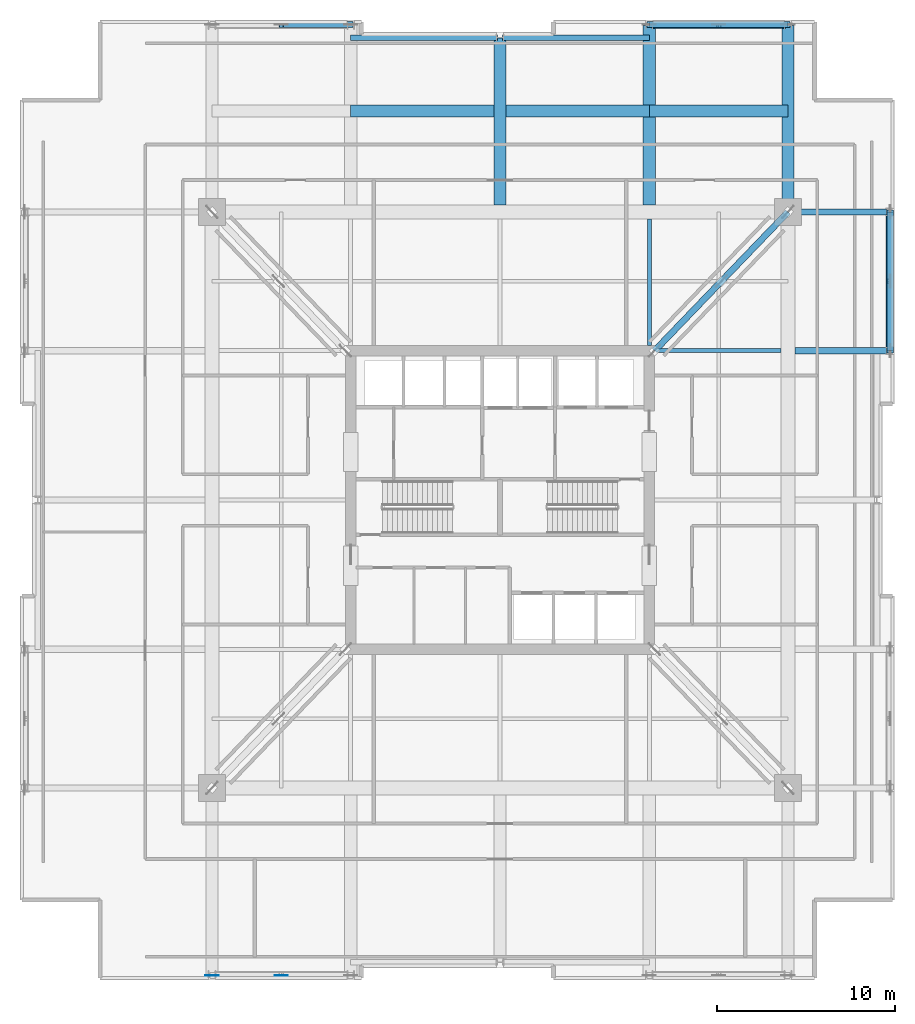
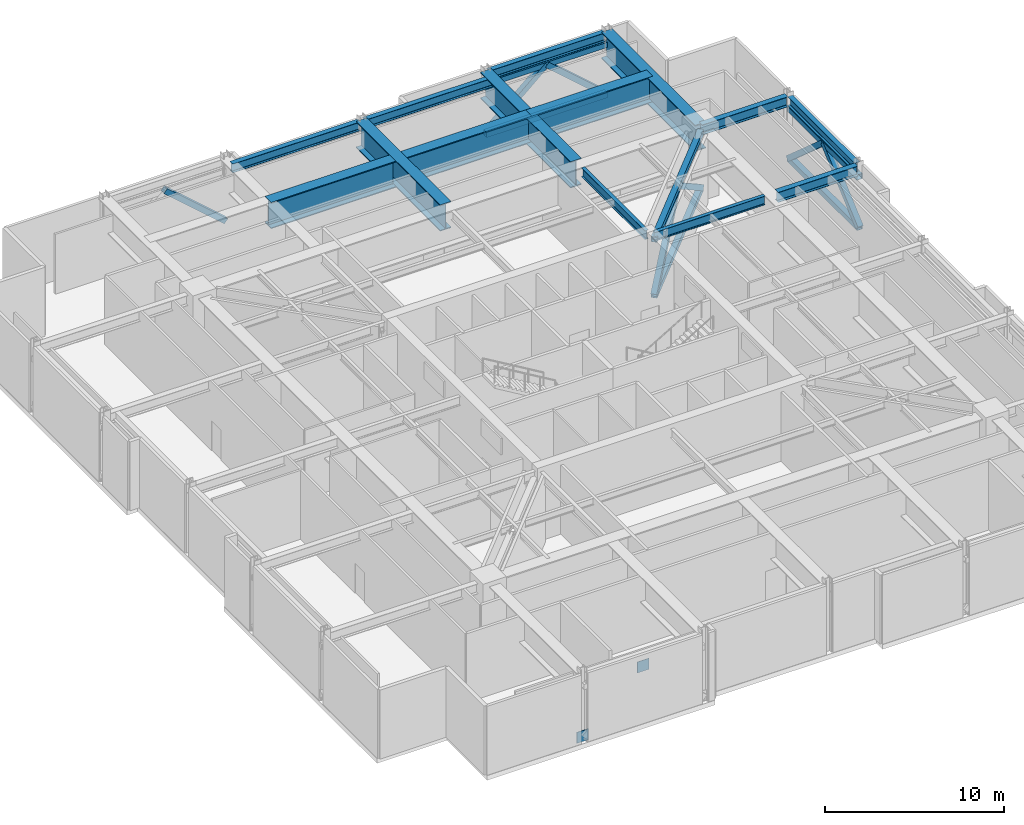
# One storey, part 2 of 13: 14 beams, 13 members, 2 plates.
"""IFC4 building model written with IfcOpenShell, lengths in metres."""

import ifcopenshell
import ifcopenshell.guid

model = None  # the IFC model being written
_history = None  # IfcOwnerHistory: only IFC2X3 demands one
_inside = {}  # id of a spatial element -> (the spatial element, [elements in it])
_under = {}  # id of a project, library or spatial element -> (it, [spatial elements below it])
_declared = {}  # id of a project -> (the project, [libraries it declares])
_typed = {}  # id of a type object -> (the type object, [elements of that type])
_made_of = {}  # id of a material, layer set ... -> (it, [elements and type objects made of it])


def new_model(schema):
    """Start an empty IFC model of exactly this schema.

    Asked for "IFC4X3", IfcOpenShell would pick the latest addendum, in which some entities
    have other attributes; the version numbers below select the first issue.
    IFC2X3 requires an IfcOwnerHistory on every rooted entity: one is made here for all.
    """
    global model, _history
    if schema == "IFC4X3":
        model = ifcopenshell.file(schema_version=(4, 3, 0, 0))
    else:
        model = ifcopenshell.file(schema=schema)
    _inside.clear()
    _under.clear()
    _declared.clear()
    _typed.clear()
    _made_of.clear()
    _history = None
    if model.schema == "IFC2X3":
        org = make("IfcOrganization", Name="unknown")
        user = make(
            "IfcPersonAndOrganization",
            ThePerson=make("IfcPerson", FamilyName="unknown"),
            TheOrganization=org,
        )
        app = make(
            "IfcApplication",
            ApplicationDeveloper=org,
            Version="unknown",
            ApplicationFullName="unknown",
            ApplicationIdentifier="unknown",
        )
        _history = make(
            "IfcOwnerHistory",
            OwningUser=user,
            OwningApplication=app,
            ChangeAction="ADDED",
            CreationDate=0,
        )
    return model


def make(cls, **values):
    """One entity of the class cls with the attributes given. An attribute that is None is left unset."""
    return model.create_entity(
        cls, **{name: value for name, value in values.items() if value is not None}
    )


def rooted(cls, **values):
    """An entity with a GlobalId (a new one), such as an element, a storey or a relation."""
    return make(cls, GlobalId=ifcopenshell.guid.new(), OwnerHistory=_history, **values)


def si_unit(unit_type, name, prefix=None):
    """IfcSIUnit, for example si_unit("LENGTHUNIT", "METRE", prefix="MILLI")."""
    return make("IfcSIUnit", UnitType=unit_type, Prefix=prefix, Name=name)


def assignment(units):
    """IfcUnitAssignment: the units of a project."""
    return None if units is None else make("IfcUnitAssignment", Units=units)


def point(xyz):
    """IfcCartesianPoint."""
    return None if xyz is None else make("IfcCartesianPoint", Coordinates=xyz)


def direction(xyz):
    """IfcDirection."""
    return None if xyz is None else make("IfcDirection", DirectionRatios=xyz)


def frame(location, z_axis=None, x_axis=None):
    """IfcAxis2Placement3D, a coordinate frame: its origin and axes. An axis left out is left unset."""
    return make(
        "IfcAxis2Placement3D",
        Location=point(location),
        Axis=direction(z_axis),
        RefDirection=direction(x_axis),
    )


def frame_2d(location, x_axis=None):
    """IfcAxis2Placement2D, a coordinate frame in the plane: its origin and x axis."""
    return make(
        "IfcAxis2Placement2D", Location=point(location), RefDirection=direction(x_axis)
    )


def origin():
    """The frame at (0, 0, 0) with its axes left unset."""
    return frame((0.0, 0.0, 0.0))


def origin_2d():
    """The frame at (0, 0) in the plane with its x axis left unset."""
    return frame_2d((0.0, 0.0))


def place(relative_to, where):
    """IfcLocalPlacement: puts the frame where relative to a parent placement (None: the world)."""
    return make(
        "IfcLocalPlacement", PlacementRelTo=relative_to, RelativePlacement=where
    )


def context(
    kind, dimensions, precision=None, world=None, true_north=None, identifier=None
):
    """IfcGeometricRepresentationContext, for example the 3D "Model" context."""
    return make(
        "IfcGeometricRepresentationContext",
        ContextIdentifier=identifier,
        ContextType=kind,
        CoordinateSpaceDimension=dimensions,
        Precision=precision,
        WorldCoordinateSystem=world,
        TrueNorth=true_north,
    )


def subcontext(parent, identifier, kind, view, scale=None):
    """IfcGeometricRepresentationSubContext, for example "Body" below "Model"."""
    return make(
        "IfcGeometricRepresentationSubContext",
        ContextIdentifier=identifier,
        ContextType=kind,
        ParentContext=parent,
        TargetScale=scale,
        TargetView=view,
    )


def project(units=None, contexts=None):
    """IfcProject with its units and contexts."""
    return rooted(
        "IfcProject",
        Name="project",
        RepresentationContexts=contexts,
        UnitsInContext=assignment(units),
    )


def spatial(cls, under=None, at=None, **own):
    """A site, building, storey or space (cls), placed at a placement, below another one or the project."""
    s = rooted(cls, ObjectPlacement=at, **own)
    if under is not None:
        _under.setdefault(under.id(), (under, []))[1].append(s)
    return s


def profile(cls, at=None, kind="AREA", **sizes):
    """A parametric profile (cls). Its sizes go by their IFC names, for example OverallWidth=200.0."""
    return make(cls, ProfileType=kind, Position=at, **sizes)


def rectangle(**sizes):
    """IfcRectangleProfileDef."""
    return profile("IfcRectangleProfileDef", **sizes)


def hollow_rectangle(**sizes):
    """IfcRectangleHollowProfileDef."""
    return profile("IfcRectangleHollowProfileDef", **sizes)


def i_section(**sizes):
    """IfcIShapeProfileDef."""
    return profile("IfcIShapeProfileDef", **sizes)


def extrude(swept, where, along, depth):
    """IfcExtrudedAreaSolid: the profile swept, set in the frame where, extruded along a direction by depth."""
    return make(
        "IfcExtrudedAreaSolid",
        SweptArea=swept,
        Position=where,
        ExtrudedDirection=direction(along),
        Depth=depth,
    )


def shape(context_of_items, identifier, shape_type, items):
    """IfcShapeRepresentation: the items that make up one representation, for example the "Body"."""
    return make(
        "IfcShapeRepresentation",
        ContextOfItems=context_of_items,
        RepresentationIdentifier=identifier,
        RepresentationType=shape_type,
        Items=items,
    )


def material(Name=None, Category=None):
    """IfcMaterial."""
    return make("IfcMaterial", Name=Name, Category=Category)


def layer(
    of_material, thickness, ventilated=None, Name=None, Category=None, Priority=None
):
    """IfcMaterialLayer: one layer of a wall or slab, of a material (None: an air gap)."""
    return make(
        "IfcMaterialLayer",
        Material=of_material,
        LayerThickness=thickness,
        IsVentilated=ventilated,
        Name=Name,
        Category=Category,
        Priority=Priority,
    )


def layer_set(layers, Name=None):
    """IfcMaterialLayerSet."""
    return make("IfcMaterialLayerSet", MaterialLayers=layers, LayerSetName=Name)


def material_profile(
    of_material, cross_section, Name=None, Category=None, Priority=None
):
    """IfcMaterialProfile: a cross section and its material."""
    return make(
        "IfcMaterialProfile",
        Name=Name,
        Material=of_material,
        Profile=cross_section,
        Priority=Priority,
        Category=Category,
    )


def profile_set(profiles, Name=None, composite=None):
    """IfcMaterialProfileSet."""
    return make(
        "IfcMaterialProfileSet",
        Name=Name,
        MaterialProfiles=profiles,
        CompositeProfile=composite,
    )


def made_of(thing, what):
    """Note that an element or type object is made of a material, layer set ...; save() writes the relation."""
    if what is not None:
        _made_of.setdefault(what.id(), (what, []))[1].append(thing)
    return thing


def type_object(cls, material=None, **own):
    """A type object (cls), such as IfcWallType, which elements share."""
    return made_of(rooted(cls, **own), material)


def element(
    cls,
    number,
    at=None,
    inside=None,
    cuts=None,
    type_object=None,
    material=None,
    context=None,
    identifier="Body",
    shape_type=None,
    held_by="IfcProductDefinitionShape",
    body=None,
    shapes=None,
    **own,
):
    """One element of the class cls, such as IfcWall. Its Tag is "e" and its number.

    at: its placement. inside: the storey or other place that contains it. cuts: it is an
    opening in that element (IfcRelVoidsElement). A single representation is given by context,
    identifier, shape_type and body (its items); several are given by shapes. held_by: the class
    of the entity that holds the representations. save() writes the other relations.
    """
    e = rooted(cls, Tag="e%d" % number, ObjectPlacement=at, **own)
    if body is not None:
        shapes = [shape(context, identifier, shape_type, body)]
    if shapes is not None:
        e.Representation = make(held_by, Representations=shapes)
    if inside is not None:
        _inside.setdefault(inside.id(), (inside, []))[1].append(e)
    if cuts is not None:
        rooted(
            "IfcRelVoidsElement", RelatingBuildingElement=cuts, RelatedOpeningElement=e
        )
    if type_object is not None:
        _typed.setdefault(type_object.id(), (type_object, []))[1].append(e)
    return made_of(e, material)


def aggregate(whole, parts):
    """IfcRelAggregates: a whole, such as a stair, and the parts it consists of."""
    return rooted("IfcRelAggregates", RelatingObject=whole, RelatedObjects=parts)


def save(model, path):
    """Write the relations noted so far, then the file.

    IfcRelAggregates (storeys below a building ...), IfcRelContainedInSpatialStructure (elements
    in a storey), IfcRelDefinesByType, IfcRelAssociatesMaterial and IfcRelDeclares: one each for
    every whole, place, type object, material and project.
    """
    for whole, parts in _under.values():
        aggregate(whole, parts)
    for where, things in _inside.values():
        rooted(
            "IfcRelContainedInSpatialStructure",
            RelatedElements=things,
            RelatingStructure=where,
        )
    for kind, things in _typed.values():
        rooted("IfcRelDefinesByType", RelatedObjects=things, RelatingType=kind)
    for what, things in _made_of.values():
        rooted("IfcRelAssociatesMaterial", RelatedObjects=things, RelatingMaterial=what)
    for by, libraries in _declared.values():
        rooted("IfcRelDeclares", RelatingContext=by, RelatedDefinitions=libraries)
    model.write(path)


model = new_model("IFC4")

# Units and contexts
model_context = context("Model", 3, precision=1e-05, world=origin(), true_north=direction((0.0, 1.0)))
body_context = subcontext(model_context, "Body", "Model", "MODEL_VIEW")
ifc_project = project(units=[si_unit("LENGTHUNIT", "METRE"), si_unit("AREAUNIT", "SQUARE_METRE"), si_unit("VOLUMEUNIT", "CUBIC_METRE"), si_unit("PLANEANGLEUNIT", "RADIAN"), si_unit("MASSUNIT", "GRAM", prefix="KILO")], contexts=[model_context])

# Site, building, storey
site_placement = place(None, origin())
site = spatial("IfcSite", under=ifc_project, at=site_placement, CompositionType="ELEMENT")
building_placement = place(site_placement, origin())
building = spatial("IfcBuilding", under=site, at=building_placement, Name="Drelvath Grand Hotel", CompositionType="ELEMENT")
storey_placement = place(building_placement, frame((0.0, 0.0, 140.800048828125)))
storey = spatial("IfcBuildingStorey", under=building, at=storey_placement, Name="L36", CompositionType="ELEMENT", Elevation=140.800048828125)

# Beams
ifc_material_1 = material(Name="Steel ASTM A572 Gr 50", Category="steel")
ifc_material_profile_1 = material_profile(ifc_material_1, i_section(OverallWidth=0.699951171875, OverallDepth=1.800048828125, WebThickness=0.035888671875, FlangeThickness=0.06494140625, at=origin_2d()), Name="PG1800X700")
ifc_profile_set_1 = profile_set([ifc_material_profile_1], Name="Steel ASTM A572 Gr 50")
beam_type_1 = type_object("IfcBeamType", Name="Built-Up Transfer Girder PG1800X700", PredefinedType="BEAM", material=ifc_profile_set_1)
for number, where, z_axis, x_axis, name in (
    (1, (-8.39990234375, 48.8798828125, 3.800048828125), (1.0, 0.0, 0.0), (0.0, 1.0, 0.0), "L36 Setback Transfer Girder North 2"),
    (2, (0.35009765625, 48.8798828125, 3.800048828125), (1.0, 0.0, 0.0), (0.0, 1.0, 0.0), "L36 Setback Transfer Girder North 3"),
):
    element("IfcBeam", number, at=place(storey_placement, frame(where, z_axis=z_axis, x_axis=x_axis)), inside=storey, type_object=beam_type_1, Name=name, PredefinedType="BEAM", context=body_context, shape_type="SweptSolid", body=[
        extrude(i_section(OverallWidth=0.699951171875, OverallDepth=1.800048828125, WebThickness=0.035888671875, FlangeThickness=0.06494140625, at=origin_2d()), origin(), (0.0, 0.0, 1.0), 8.0498046875),
    ])
beam_1_placement = place(storey_placement, frame((8.39990234375, 48.8798828125, 3.800048828125), z_axis=(1.0, 0.0, 0.0), x_axis=(0.0, 1.0, 0.0)))
element("IfcBeam", 3, at=beam_1_placement, inside=storey, type_object=beam_type_1, Name="L36 Setback Transfer Girder North 4", PredefinedType="BEAM", context=body_context, shape_type="SweptSolid", body=[
    extrude(i_section(OverallWidth=0.699951171875, OverallDepth=1.800048828125, WebThickness=0.035888671875, FlangeThickness=0.06494140625, at=origin_2d()), origin(), (0.0, 0.0, 1.0), 7.800048828125),
])
beam_2_placement = place(storey_placement, frame((0.0, 43.60009765625, 3.800048828125), z_axis=(0.0, 1.0, 0.0), x_axis=(-1.0, 0.0, 0.0)))
element("IfcBeam", 4, at=beam_2_placement, inside=storey, type_object=beam_type_1, Name="L36 Setback Cross Transfer Girder 5", PredefinedType="BEAM", context=body_context, shape_type="SweptSolid", body=[
    extrude(i_section(OverallWidth=0.699951171875, OverallDepth=1.800048828125, WebThickness=0.035888671875, FlangeThickness=0.06494140625, at=origin_2d()), origin(), (0.0, 0.0, 1.0), 9.39990234375),
])
beam_3_placement = place(storey_placement, frame((8.39990234375, 43.60009765625, 3.800048828125), z_axis=(0.0, 1.0, 0.0), x_axis=(-1.0, 0.0, 0.0)))
element("IfcBeam", 5, at=beam_3_placement, inside=storey, type_object=beam_type_1, Name="L36 Setback Cross Transfer Girder 6", PredefinedType="BEAM", context=body_context, shape_type="SweptSolid", body=[
    extrude(i_section(OverallWidth=0.699951171875, OverallDepth=1.800048828125, WebThickness=0.035888671875, FlangeThickness=0.06494140625, at=origin_2d()), origin(), (0.0, 0.0, 1.0), 10.079833984375),
])
beam_4_placement = place(storey_placement, frame((16.199951171875, 43.199951171875, 3.800048828125), z_axis=(0.0, 1.0, 0.0), x_axis=(-1.0, 0.0, 0.0)))
element("IfcBeam", 6, at=beam_4_placement, inside=storey, type_object=beam_type_1, Name="L36 Setback Cross Transfer Girder 7", PredefinedType="BEAM", context=body_context, shape_type="SweptSolid", body=[
    extrude(i_section(OverallWidth=0.699951171875, OverallDepth=1.800048828125, WebThickness=0.035888671875, FlangeThickness=0.06494140625, at=origin_2d()), origin(), (0.0, 0.0, 1.0), 10.47998046875),
])

# Members
ifc_material_2 = material(Name="Steel ASTM A500 Gr C", Category="steel")
ifc_material_profile_2 = material_profile(ifc_material_2, hollow_rectangle(XDim=0.355712890625, YDim=0.355712890625, WallThickness=0.015869140625, at=origin_2d()), Name="HSS356X356X16")
ifc_profile_set_2 = profile_set([ifc_material_profile_2], Name="Steel ASTM A500 Gr C")
member_type_1 = type_object("IfcMemberType", Name="Outrigger and Belt Truss Brace HSS356X356X16", PredefinedType="BRACE", material=ifc_profile_set_2)
for number, where, z_axis, x_axis, name in (
    (7, (8.699951171875, 35.39990234375, 0.349853515625), (0.567180022791, 0.589889379173, 0.574749808252), (-0.720846071131, 0.693095189519, 0.0), "L36 Outrigger Truss Diagonal NE-1"),
    (8, (12.449951171875, 39.300048828125, 4.14990234375), (0.567192377196, 0.589865301649, -0.574762327542), (-0.720824393659, 0.693117734231, 0.0), "L36 Outrigger Truss Diagonal NE-2"),
):
    element("IfcMember", number, at=place(storey_placement, frame(where, z_axis=z_axis, x_axis=x_axis)), inside=storey, type_object=member_type_1, Name=name, PredefinedType="BRACE", context=body_context, shape_type="SweptSolid", body=[
        extrude(hollow_rectangle(XDim=0.355712890625, YDim=0.355712890625, WallThickness=0.015869140625, at=origin_2d()), origin(), (0.0, 0.0, 1.0), 6.611572265625),
    ])
for number, where, z_axis, x_axis, name in (
    (9, (21.949951171875, 35.39990234375, 0.349853515625), (0.0, 0.750899979933, 0.660415944793), (-1.0, 0.0, 0.0), "L36 Belt Truss Diagonal BE-N-1"),
    (10, (21.949951171875, 39.300048828125, 3.780029296875), (0.0, 0.750879477787, -0.660439255222), (-1.0, 0.0, 0.0), "L36 Belt Truss Diagonal BE-N-2"),
    (11, (-12.300048828125, 53.75, 3.780029296875), (0.750899979933, 0.0, -0.660415944793), (0.0, 1.0, 0.0), "L36 Belt Truss Diagonal BN-W-2"),
    (12, (8.39990234375, 53.75, 0.349853515625), (0.750899979933, 0.0, 0.660415944793), (0.0, 1.0, 0.0), "L36 Belt Truss Diagonal BN-E-1"),
    (13, (12.300048828125, 53.75, 3.780029296875), (0.750879477787, 0.0, -0.660439255222), (0.0, 1.0, 0.0), "L36 Belt Truss Diagonal BN-E-2"),
):
    element("IfcMember", number, at=place(storey_placement, frame(where, z_axis=z_axis, x_axis=x_axis)), inside=storey, type_object=member_type_1, Name=name, PredefinedType="BRACE", context=body_context, shape_type="SweptSolid", body=[
        extrude(hollow_rectangle(XDim=0.355712890625, YDim=0.355712890625, WallThickness=0.015869140625, at=origin_2d()), origin(), (0.0, 0.0, 1.0), 5.19384765625),
    ])
ifc_material_profile_3 = material_profile(ifc_material_2, hollow_rectangle(XDim=0.355712890625, YDim=0.355712890625, WallThickness=0.015869140625, at=origin_2d()), Name="HSS356X356X16")
ifc_profile_set_3 = profile_set([ifc_material_profile_3], Name="Steel ASTM A500 Gr C")
member_type_2 = type_object("IfcMemberType", Name="Outrigger and Belt Truss Chord HSS356X356X16", PredefinedType="CHORD", material=ifc_profile_set_3)
for number, where, z_axis, x_axis, name in (
    (14, (8.699951171875, 35.39990234375, 0.349853515625), (0.693106461777, 0.72083523266, 0.0), (-0.72083523266, 0.693106461777, 0.0), "L36 Outrigger Truss Bottom Chord NE"),
    (15, (8.699951171875, 35.39990234375, 4.14990234375), (0.693106461777, 0.72083523266, 0.0), (-0.72083523266, 0.693106461777, 0.0), "L36 Outrigger Truss Top Chord NE"),
):
    element("IfcMember", number, at=place(storey_placement, frame(where, z_axis=z_axis, x_axis=x_axis)), inside=storey, type_object=member_type_2, Name=name, PredefinedType="CHORD", context=body_context, shape_type="SweptSolid", body=[
        extrude(hollow_rectangle(XDim=0.355712890625, YDim=0.355712890625, WallThickness=0.015869140625, at=origin_2d()), origin(), (0.0, 0.0, 1.0), 10.82080078125),
    ])
for number, where, z_axis, x_axis, name in (
    (16, (21.949951171875, 35.39990234375, 0.349853515625), (0.0, 1.0, 0.0), (-1.0, 0.0, 0.0), "L36 Belt Truss Bottom Chord BE-N"),
    (17, (21.949951171875, 35.39990234375, 3.780029296875), (0.0, 1.0, 0.0), (-1.0, 0.0, 0.0), "L36 Belt Truss Top Chord BE-N"),
    (18, (8.39990234375, 53.75, 0.349853515625), (1.0, 0.0, 0.0), (0.0, 1.0, 0.0), "L36 Belt Truss Bottom Chord BN-E"),
    (19, (8.39990234375, 53.75, 3.780029296875), (1.0, 0.0, 0.0), (0.0, 1.0, 0.0), "L36 Belt Truss Top Chord BN-E"),
):
    element("IfcMember", number, at=place(storey_placement, frame(where, z_axis=z_axis, x_axis=x_axis)), inside=storey, type_object=member_type_2, Name=name, PredefinedType="CHORD", context=body_context, shape_type="SweptSolid", body=[
        extrude(hollow_rectangle(XDim=0.355712890625, YDim=0.355712890625, WallThickness=0.015869140625, at=origin_2d()), origin(), (0.0, 0.0, 1.0), 7.800048828125),
    ])

# Beams
ifc_material_3 = material(Name="Steel ASTM A992 Gr 50", Category="steel")
ifc_material_profile_4 = material_profile(ifc_material_3, i_section(OverallWidth=0.323974609375, OverallDepth=0.611083984375, WebThickness=0.0126953125, FlangeThickness=0.01904296875, FilletRadius=0.02197265625, at=origin_2d()), Name="W24X104")
ifc_profile_set_4 = profile_set([ifc_material_profile_4], Name="Steel ASTM A992 Gr 50")
beam_type_2 = type_object("IfcBeamType", Name="Perimeter Spandrel Beam W24X104", PredefinedType="SPANDREL", material=ifc_profile_set_4)
beam_5_placement = place(storey_placement, frame((21.8798828125, 35.5400390625, 4.394287109375), z_axis=(0.0, 1.0, 0.0), x_axis=(-1.0, 0.0, 0.0)))
element("IfcBeam", 20, at=beam_5_placement, inside=storey, type_object=beam_type_2, Name="L36 Spandrel East N", PredefinedType="SPANDREL", context=body_context, shape_type="SweptSolid", body=[
    extrude(i_section(OverallWidth=0.323974609375, OverallDepth=0.611083984375, WebThickness=0.0126953125, FlangeThickness=0.01904296875, FilletRadius=0.02197265625, at=origin_2d()), origin(), (0.0, 0.0, 1.0), 7.52001953125),
])
for number, where, z_axis, x_axis, name in (
    (21, (-8.39990234375, 53.0, 4.394287109375), (1.0, 0.0, 0.0), (0.0, 1.0, 0.0), "L36 Spandrel North Mid W"),
    (22, (0.139892578125, 53.0, 4.394287109375), (1.0, 0.0, 0.0), (0.0, 1.0, 0.0), "L36 Spandrel North Mid E"),
):
    element("IfcBeam", number, at=place(storey_placement, frame(where, z_axis=z_axis, x_axis=x_axis)), inside=storey, type_object=beam_type_2, Name=name, PredefinedType="SPANDREL", context=body_context, shape_type="SweptSolid", body=[
        extrude(i_section(OverallWidth=0.323974609375, OverallDepth=0.611083984375, WebThickness=0.0126953125, FlangeThickness=0.01904296875, FilletRadius=0.02197265625, at=origin_2d()), origin(), (0.0, 0.0, 1.0), 8.260009765625),
    ])
beam_6_placement = place(storey_placement, frame((8.5400390625, 53.679931640625, 4.394287109375), z_axis=(1.0, 0.0, 0.0), x_axis=(0.0, 1.0, 0.0)))
element("IfcBeam", 23, at=beam_6_placement, inside=storey, type_object=beam_type_2, Name="L36 Spandrel North E", PredefinedType="SPANDREL", context=body_context, shape_type="SweptSolid", body=[
    extrude(i_section(OverallWidth=0.323974609375, OverallDepth=0.611083984375, WebThickness=0.0126953125, FlangeThickness=0.01904296875, FilletRadius=0.02197265625, at=origin_2d()), origin(), (0.0, 0.0, 1.0), 7.52001953125),
])
ifc_material_profile_5 = material_profile(ifc_material_3, i_section(OverallWidth=0.228271484375, OverallDepth=0.607666015625, WebThickness=0.01123046875, FlangeThickness=0.017333984375, FilletRadius=0.02001953125, at=origin_2d()), Name="W24X76")
ifc_profile_set_5 = profile_set([ifc_material_profile_5], Name="Steel ASTM A992 Gr 50")
beam_type_3 = type_object("IfcBeamType", Name="Primary Floor Girder W24X76", PredefinedType="BEAM", material=ifc_profile_set_5)
for number, where, z_axis, x_axis, name in (
    (24, (8.699951171875, 35.39990234375, 4.396240234375), (1.0, 0.0, 0.0), (0.0, 1.0, 0.0), "L36 East Core Tie F"),
    (25, (8.39990234375, 35.699951171875, 4.396240234375), (0.0, 1.0, 0.0), (-1.0, 0.0, 0.0), "L36 North Core Tie 6"),
):
    element("IfcBeam", number, at=place(storey_placement, frame(where, z_axis=z_axis, x_axis=x_axis)), inside=storey, type_object=beam_type_3, Name=name, PredefinedType="BEAM", context=body_context, shape_type="SweptSolid", body=[
        extrude(i_section(OverallWidth=0.228271484375, OverallDepth=0.607666015625, WebThickness=0.01123046875, FlangeThickness=0.017333984375, FilletRadius=0.02001953125, at=origin_2d()), origin(), (0.0, 0.0, 1.0), 7.10009765625),
    ])
ifc_material_profile_6 = material_profile(ifc_material_3, i_section(OverallWidth=0.354736328125, OverallDepth=0.695556640625, WebThickness=0.015380859375, FlangeThickness=0.025146484375, FilletRadius=0.02392578125, at=origin_2d()), Name="W27X146")
ifc_profile_set_6 = profile_set([ifc_material_profile_6], Name="Steel ASTM A992 Gr 50")
beam_type_4 = type_object("IfcBeamType", Name="Primary Floor Girder W27X146", PredefinedType="BEAM", material=ifc_profile_set_6)
beam_7_placement = place(storey_placement, frame((16.199951171875, 43.199951171875, 4.352294921875), z_axis=(1.0, 0.0, 0.0), x_axis=(0.0, 1.0, 0.0)))
element("IfcBeam", 26, at=beam_7_placement, inside=storey, type_object=beam_type_4, Name="L36 East Grid Girder G", PredefinedType="BEAM", context=body_context, shape_type="SweptSolid", body=[
    extrude(i_section(OverallWidth=0.354736328125, OverallDepth=0.695556640625, WebThickness=0.015380859375, FlangeThickness=0.025146484375, FilletRadius=0.02392578125, at=origin_2d()), origin(), (0.0, 0.0, 1.0), 5.5400390625),
])
beam_8_placement = place(storey_placement, frame((16.60009765625, 35.39990234375, 4.352294921875), z_axis=(1.0, 0.0, 0.0), x_axis=(0.0, 1.0, 0.0)))
element("IfcBeam", 27, at=beam_8_placement, inside=storey, type_object=beam_type_4, Name="L36 East Wing Girder F", PredefinedType="BEAM", context=body_context, shape_type="SweptSolid", body=[
    extrude(i_section(OverallWidth=0.354736328125, OverallDepth=0.695556640625, WebThickness=0.015380859375, FlangeThickness=0.025146484375, FilletRadius=0.02392578125, at=origin_2d()), origin(), (0.0, 0.0, 1.0), 5.139892578125),
])

# Plates
ifc_layer = layer(ifc_material_1, 0.031982421875)
ifc_layer_set = layer_set([ifc_layer], Name="Steel ASTM A572 Gr 50")
plate_type = type_object("IfcPlateType", Name="Belt Truss Node Gusset Plate 32mm", PredefinedType="USERDEFINED", material=ifc_layer_set)
for number, where, z_axis, x_axis, name in (
    (28, (-16.199951171875, 0.25, -0.025146484375), (0.0, 0.0, 1.0), (1.0, 0.0, 0.0), "L36 Belt Truss Start Gusset BS-W"),
    (29, (-12.300048828125, 0.25, 3.405029296875), (0.0, 0.0, 1.0), (1.0, 0.0, 0.0), "L36 Belt Truss Apex Gusset BS-W"),
):
    element("IfcPlate", number, at=place(storey_placement, frame(where, z_axis=z_axis, x_axis=x_axis)), inside=storey, type_object=plate_type, Name=name, ObjectType="GUSSET_PLATE", PredefinedType="USERDEFINED", context=body_context, shape_type="SweptSolid", body=[
        extrude(rectangle(XDim=0.75, YDim=0.031982421875, at=origin_2d()), origin(), (0.0, 0.0, 1.0), 0.75),
    ])

save(model, "model.ifc")
